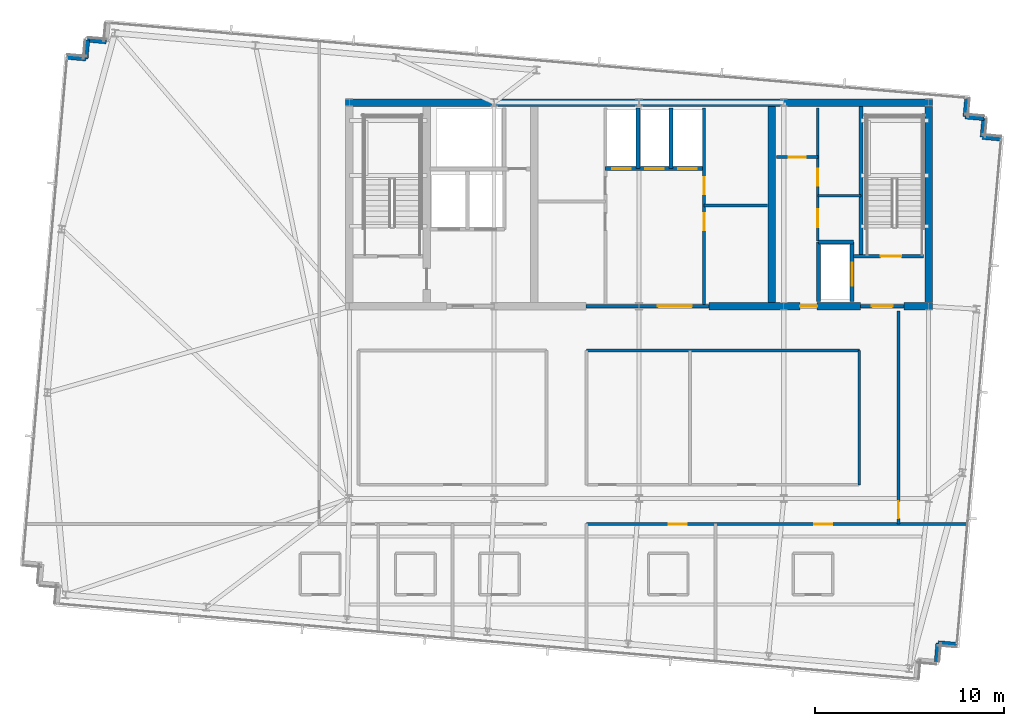
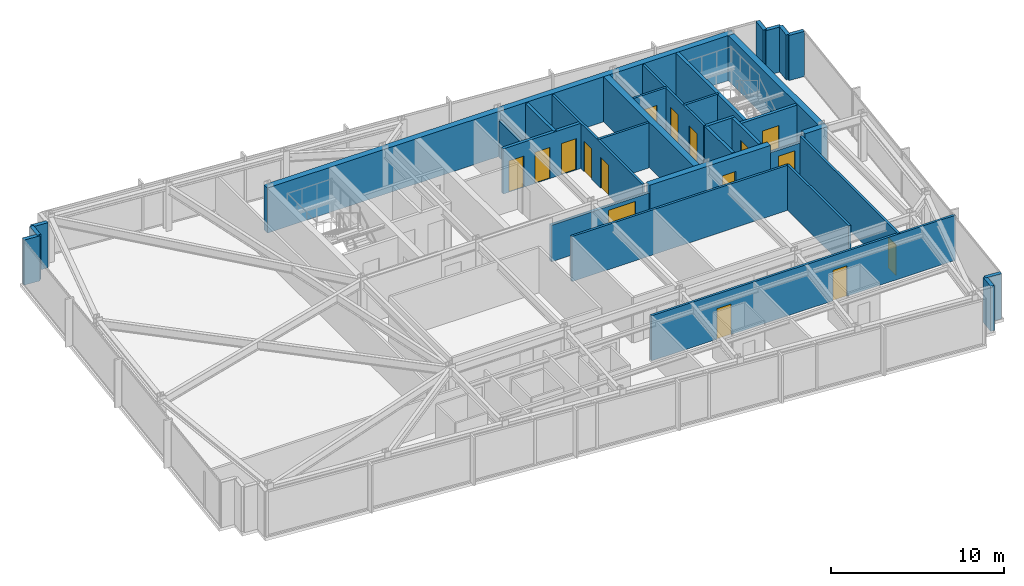
# One storey, part 28 of 33: 33 walls, 16 doors, 16 openings.
"""IFC4 building model written with IfcOpenShell, lengths in metres."""

import ifcopenshell
import ifcopenshell.guid

model = None  # the IFC model being written
_history = None  # IfcOwnerHistory: only IFC2X3 demands one
_inside = {}  # id of a spatial element -> (the spatial element, [elements in it])
_under = {}  # id of a project, library or spatial element -> (it, [spatial elements below it])
_declared = {}  # id of a project -> (the project, [libraries it declares])
_typed = {}  # id of a type object -> (the type object, [elements of that type])
_made_of = {}  # id of a material, layer set ... -> (it, [elements and type objects made of it])


def new_model(schema):
    """Start an empty IFC model of exactly this schema.

    Asked for "IFC4X3", IfcOpenShell would pick the latest addendum, in which some entities
    have other attributes; the version numbers below select the first issue.
    IFC2X3 requires an IfcOwnerHistory on every rooted entity: one is made here for all.
    """
    global model, _history
    if schema == "IFC4X3":
        model = ifcopenshell.file(schema_version=(4, 3, 0, 0))
    else:
        model = ifcopenshell.file(schema=schema)
    _inside.clear()
    _under.clear()
    _declared.clear()
    _typed.clear()
    _made_of.clear()
    _history = None
    if model.schema == "IFC2X3":
        org = make("IfcOrganization", Name="unknown")
        user = make(
            "IfcPersonAndOrganization",
            ThePerson=make("IfcPerson", FamilyName="unknown"),
            TheOrganization=org,
        )
        app = make(
            "IfcApplication",
            ApplicationDeveloper=org,
            Version="unknown",
            ApplicationFullName="unknown",
            ApplicationIdentifier="unknown",
        )
        _history = make(
            "IfcOwnerHistory",
            OwningUser=user,
            OwningApplication=app,
            ChangeAction="ADDED",
            CreationDate=0,
        )
    return model


def make(cls, **values):
    """One entity of the class cls with the attributes given. An attribute that is None is left unset."""
    return model.create_entity(
        cls, **{name: value for name, value in values.items() if value is not None}
    )


def rooted(cls, **values):
    """An entity with a GlobalId (a new one), such as an element, a storey or a relation."""
    return make(cls, GlobalId=ifcopenshell.guid.new(), OwnerHistory=_history, **values)


def si_unit(unit_type, name, prefix=None):
    """IfcSIUnit, for example si_unit("LENGTHUNIT", "METRE", prefix="MILLI")."""
    return make("IfcSIUnit", UnitType=unit_type, Prefix=prefix, Name=name)


def assignment(units):
    """IfcUnitAssignment: the units of a project."""
    return None if units is None else make("IfcUnitAssignment", Units=units)


def point(xyz):
    """IfcCartesianPoint."""
    return None if xyz is None else make("IfcCartesianPoint", Coordinates=xyz)


def direction(xyz):
    """IfcDirection."""
    return None if xyz is None else make("IfcDirection", DirectionRatios=xyz)


def frame(location, z_axis=None, x_axis=None):
    """IfcAxis2Placement3D, a coordinate frame: its origin and axes. An axis left out is left unset."""
    return make(
        "IfcAxis2Placement3D",
        Location=point(location),
        Axis=direction(z_axis),
        RefDirection=direction(x_axis),
    )


def frame_2d(location, x_axis=None):
    """IfcAxis2Placement2D, a coordinate frame in the plane: its origin and x axis."""
    return make(
        "IfcAxis2Placement2D", Location=point(location), RefDirection=direction(x_axis)
    )


def origin():
    """The frame at (0, 0, 0) with its axes left unset."""
    return frame((0.0, 0.0, 0.0))


def place(relative_to, where):
    """IfcLocalPlacement: puts the frame where relative to a parent placement (None: the world)."""
    return make(
        "IfcLocalPlacement", PlacementRelTo=relative_to, RelativePlacement=where
    )


def context(
    kind, dimensions, precision=None, world=None, true_north=None, identifier=None
):
    """IfcGeometricRepresentationContext, for example the 3D "Model" context."""
    return make(
        "IfcGeometricRepresentationContext",
        ContextIdentifier=identifier,
        ContextType=kind,
        CoordinateSpaceDimension=dimensions,
        Precision=precision,
        WorldCoordinateSystem=world,
        TrueNorth=true_north,
    )


def subcontext(parent, identifier, kind, view, scale=None):
    """IfcGeometricRepresentationSubContext, for example "Body" below "Model"."""
    return make(
        "IfcGeometricRepresentationSubContext",
        ContextIdentifier=identifier,
        ContextType=kind,
        ParentContext=parent,
        TargetScale=scale,
        TargetView=view,
    )


def project(units=None, contexts=None):
    """IfcProject with its units and contexts."""
    return rooted(
        "IfcProject",
        Name="project",
        RepresentationContexts=contexts,
        UnitsInContext=assignment(units),
    )


def spatial(cls, under=None, at=None, **own):
    """A site, building, storey or space (cls), placed at a placement, below another one or the project."""
    s = rooted(cls, ObjectPlacement=at, **own)
    if under is not None:
        _under.setdefault(under.id(), (under, []))[1].append(s)
    return s


def profile(cls, at=None, kind="AREA", **sizes):
    """A parametric profile (cls). Its sizes go by their IFC names, for example OverallWidth=200.0."""
    return make(cls, ProfileType=kind, Position=at, **sizes)


def rectangle(**sizes):
    """IfcRectangleProfileDef."""
    return profile("IfcRectangleProfileDef", **sizes)


def extrude(swept, where, along, depth):
    """IfcExtrudedAreaSolid: the profile swept, set in the frame where, extruded along a direction by depth."""
    return make(
        "IfcExtrudedAreaSolid",
        SweptArea=swept,
        Position=where,
        ExtrudedDirection=direction(along),
        Depth=depth,
    )


def shape(context_of_items, identifier, shape_type, items):
    """IfcShapeRepresentation: the items that make up one representation, for example the "Body"."""
    return make(
        "IfcShapeRepresentation",
        ContextOfItems=context_of_items,
        RepresentationIdentifier=identifier,
        RepresentationType=shape_type,
        Items=items,
    )


def material(Name=None, Category=None):
    """IfcMaterial."""
    return make("IfcMaterial", Name=Name, Category=Category)


def layer(
    of_material, thickness, ventilated=None, Name=None, Category=None, Priority=None
):
    """IfcMaterialLayer: one layer of a wall or slab, of a material (None: an air gap)."""
    return make(
        "IfcMaterialLayer",
        Material=of_material,
        LayerThickness=thickness,
        IsVentilated=ventilated,
        Name=Name,
        Category=Category,
        Priority=Priority,
    )


def layer_set(layers, Name=None):
    """IfcMaterialLayerSet."""
    return make("IfcMaterialLayerSet", MaterialLayers=layers, LayerSetName=Name)


def made_of(thing, what):
    """Note that an element or type object is made of a material, layer set ...; save() writes the relation."""
    if what is not None:
        _made_of.setdefault(what.id(), (what, []))[1].append(thing)
    return thing


def type_object(cls, material=None, **own):
    """A type object (cls), such as IfcWallType, which elements share."""
    return made_of(rooted(cls, **own), material)


def element(
    cls,
    number,
    at=None,
    inside=None,
    cuts=None,
    type_object=None,
    material=None,
    context=None,
    identifier="Body",
    shape_type=None,
    held_by="IfcProductDefinitionShape",
    body=None,
    shapes=None,
    **own,
):
    """One element of the class cls, such as IfcWall. Its Tag is "e" and its number.

    at: its placement. inside: the storey or other place that contains it. cuts: it is an
    opening in that element (IfcRelVoidsElement). A single representation is given by context,
    identifier, shape_type and body (its items); several are given by shapes. held_by: the class
    of the entity that holds the representations. save() writes the other relations.
    """
    e = rooted(cls, Tag="e%d" % number, ObjectPlacement=at, **own)
    if body is not None:
        shapes = [shape(context, identifier, shape_type, body)]
    if shapes is not None:
        e.Representation = make(held_by, Representations=shapes)
    if inside is not None:
        _inside.setdefault(inside.id(), (inside, []))[1].append(e)
    if cuts is not None:
        rooted(
            "IfcRelVoidsElement", RelatingBuildingElement=cuts, RelatedOpeningElement=e
        )
    if type_object is not None:
        _typed.setdefault(type_object.id(), (type_object, []))[1].append(e)
    return made_of(e, material)


def fill(opening, filler):
    """IfcRelFillsElement: the door or window that sits in an opening."""
    return rooted(
        "IfcRelFillsElement",
        RelatingOpeningElement=opening,
        RelatedBuildingElement=filler,
    )


def aggregate(whole, parts):
    """IfcRelAggregates: a whole, such as a stair, and the parts it consists of."""
    return rooted("IfcRelAggregates", RelatingObject=whole, RelatedObjects=parts)


def save(model, path):
    """Write the relations noted so far, then the file.

    IfcRelAggregates (storeys below a building ...), IfcRelContainedInSpatialStructure (elements
    in a storey), IfcRelDefinesByType, IfcRelAssociatesMaterial and IfcRelDeclares: one each for
    every whole, place, type object, material and project.
    """
    for whole, parts in _under.values():
        aggregate(whole, parts)
    for where, things in _inside.values():
        rooted(
            "IfcRelContainedInSpatialStructure",
            RelatedElements=things,
            RelatingStructure=where,
        )
    for kind, things in _typed.values():
        rooted("IfcRelDefinesByType", RelatedObjects=things, RelatingType=kind)
    for what, things in _made_of.values():
        rooted("IfcRelAssociatesMaterial", RelatedObjects=things, RelatingMaterial=what)
    for by, libraries in _declared.values():
        rooted("IfcRelDeclares", RelatingContext=by, RelatedDefinitions=libraries)
    model.write(path)


model = new_model("IFC4")

# Units and contexts
model_context = context("Model", 3, precision=1e-05, world=origin(), true_north=direction((0.0, 1.0)))
body_context = subcontext(model_context, "Body", "Model", "MODEL_VIEW")
ifc_project = project(units=[si_unit("LENGTHUNIT", "METRE"), si_unit("AREAUNIT", "SQUARE_METRE"), si_unit("VOLUMEUNIT", "CUBIC_METRE"), si_unit("PLANEANGLEUNIT", "RADIAN"), si_unit("MASSUNIT", "GRAM", prefix="KILO")], contexts=[model_context])

# Site, building, storey
site_placement = place(None, origin())
site = spatial("IfcSite", under=ifc_project, at=site_placement, CompositionType="ELEMENT")
building_placement = place(site_placement, origin())
building = spatial("IfcBuilding", under=site, at=building_placement, Name="Yelkora Congress Tower", CompositionType="ELEMENT")
storey_placement = place(building_placement, frame((0.0, 0.0, 289.699951171875)))
storey = spatial("IfcBuildingStorey", under=building, at=storey_placement, Name="L81", CompositionType="ELEMENT", Elevation=289.699951171875)

# Walls
ifc_material_1 = material(Name="Concrete C50/60", Category="concrete")
ifc_layer_1 = layer(ifc_material_1, 0.219970703125)
ifc_layer_set_1 = layer_set([ifc_layer_1], Name="Concrete C50/60")
wall_type_1 = type_object("IfcWallType", Name="WALL-CORE-INT-220", PredefinedType="SHEAR", material=ifc_layer_set_1)
wall_1_placement = place(storey_placement, frame((50.179931640625, 38.050048828125, 0.0), z_axis=(0.0, 0.0, 1.0), x_axis=(0.0, 1.0, 0.0)))
element("IfcWall", 1, at=wall_1_placement, inside=storey, type_object=wall_type_1, Name="L81 ST02 West Stair Shear Wall", PredefinedType="SHEAR", context=body_context, shape_type="SweptSolid", body=[
    extrude(rectangle(XDim=7.949951171875, YDim=0.219970703125, at=frame_2d((3.97509765625, 0.0))), origin(), (0.0, 0.0, 1.0), 3.179931640625),
])
ifc_layer_2 = layer(ifc_material_1, 0.39990234375)
ifc_layer_set_2 = layer_set([ifc_layer_2], Name="Concrete C50/60")
wall_type_2 = type_object("IfcWallType", Name="WALL-CORE-INT-400", PredefinedType="SHEAR", material=ifc_layer_set_2)
wall_2_placement = place(storey_placement, frame((22.840087890625, 46.199951171875, 0.0), z_axis=(0.0, 0.0, 1.0), x_axis=(1.0, 0.0, 0.0)))
element("IfcWall", 2, at=wall_2_placement, inside=storey, type_object=wall_type_2, Name="L81 Rear Core North Shear Wall", PredefinedType="SHEAR", context=body_context, shape_type="SweptSolid", body=[
    extrude(rectangle(XDim=31.119873046875, YDim=0.39990234375, at=frame_2d((15.56005859375, 0.0))), origin(), (0.0, 0.0, 1.0), 3.179931640625),
])

# Wall, opening, door
wall_3_placement = place(storey_placement, frame((42.10009765625, 35.39990234375, 0.0), z_axis=(0.0, 0.0, 1.0), x_axis=(1.0, 0.0, 0.0)))
wall_3 = element("IfcWall", 3, at=wall_3_placement, inside=storey, type_object=wall_type_2, Name="L81 Rear Core South-East Shear Wall A", PredefinedType="SHEAR", context=body_context, shape_type="SweptSolid", body=[
    extrude(rectangle(XDim=8.0498046875, YDim=0.39990234375, at=frame_2d((4.02490234375, 0.0))), origin(), (0.0, 0.0, 1.0), 3.179931640625),
])
opening_1_placement = place(wall_3_placement, frame((4.85009765625, 0.0, 0.0)))
opening_1 = element("IfcOpeningElement", 4, at=opening_1_placement, cuts=wall_3, Name="Opening DR-090F6", PredefinedType="OPENING", context=body_context, shape_type="SweptSolid", body=[
    extrude(rectangle(XDim=0.89990234375, YDim=2.14990234375, at=frame_2d((0.449951171875, 1.074951171875))), frame((0.0, 0.2099609375, 0.0), z_axis=(0.0, -1.0, 0.0), x_axis=(1.0, 0.0, 0.0)), (0.0, 0.0, 1.0), 0.419921875),
])
ifc_material_2 = material(Name="Painted steel riser fire door leaf", Category="steel")
door_type_1 = type_object("IfcDoorType", Name="DOOR-FD60-900", OperationType="NOTDEFINED", PredefinedType="DOOR", material=ifc_material_2)
door_1_placement = place(opening_1_placement, origin())
door_1 = element("IfcDoor", 5, at=door_1_placement, inside=storey, type_object=door_type_1, Name="L81 Core Washroom Lobby Door", OperationType="SINGLE_SWING_RIGHT", OverallHeight=2.14990234375, OverallWidth=0.89990234375, PredefinedType="DOOR", context=body_context, shape_type="SweptSolid", body=[
    extrude(rectangle(XDim=0.89990234375, YDim=2.14990234375, at=frame_2d((0.449951171875, 1.074951171875))), frame((0.0, 0.02490234375, 0.0), z_axis=(0.0, -1.0, 0.0), x_axis=(1.0, 0.0, 0.0)), (0.0, 0.0, 1.0), 0.050048828125),
])
fill(opening_1, door_1)

# Walls
wall_4_placement = place(storey_placement, frame((52.449951171875, 35.39990234375, 0.0), z_axis=(0.0, 0.0, 1.0), x_axis=(1.0, 0.0, 0.0)))
element("IfcWall", 6, at=wall_4_placement, inside=storey, type_object=wall_type_2, Name="L81 Rear Core South-East Shear Wall B", PredefinedType="SHEAR", context=body_context, shape_type="SweptSolid", body=[
    extrude(rectangle(XDim=1.510009765625, YDim=0.39990234375, at=frame_2d((0.7548828125, 0.0))), origin(), (0.0, 0.0, 1.0), 3.179931640625),
])
for number, where, z_axis, x_axis, name in (
    (7, (45.449951171875, 35.60009765625, 0.0), (0.0, 0.0, 1.0), (0.0, 1.0, 0.0), "L81 Rear Core Cross Shear Wall C3"),
    (8, (53.760009765625, 35.60009765625, 0.0), (0.0, 0.0, 1.0), (0.0, 1.0, 0.0), "L81 Rear Core Cross Shear Wall E"),
):
    element("IfcWall", number, at=place(storey_placement, frame(where, z_axis=z_axis, x_axis=x_axis)), inside=storey, type_object=wall_type_2, Name=name, PredefinedType="SHEAR", context=body_context, shape_type="SweptSolid", body=[
        extrude(rectangle(XDim=10.39990234375, YDim=0.39990234375, at=frame_2d((5.199951171875, 0.0))), origin(), (0.0, 0.0, 1.0), 3.179931640625),
    ])
ifc_material_3 = material(Name="Concrete C40/50", Category="concrete")
ifc_layer_3 = layer(ifc_material_3, 0.239990234375)
ifc_layer_set_3 = layer_set([ifc_layer_3], Name="Concrete C40/50")
wall_type_3 = type_object("IfcWallType", Name="WALL-EXT-LIMESTONE-240", PredefinedType="SOLIDWALL", material=ifc_layer_set_3)
for number, where, z_axis, x_axis, name in (
    (9, (8.0732421875, 48.609619140625, 0.0), (0.0, 0.0, 1.0), (0.996195572005, -0.087145753297, 0.0), "L81 Serrated Corner Limestone Pier 6"),
    (10, (9.069580078125, 48.5224609375, 0.0), (0.0, 0.0, 1.0), (0.087145753297, 0.996195572005, 0.0), "L81 Serrated Corner Limestone Pier 7"),
):
    element("IfcWall", number, at=place(storey_placement, frame(where, z_axis=z_axis, x_axis=x_axis)), inside=storey, type_object=wall_type_3, Name=name, PredefinedType="SOLIDWALL", context=body_context, shape_type="SweptSolid", body=[
        extrude(rectangle(XDim=1.000244140625, YDim=0.239990234375, at=frame_2d((0.5, 0.0))), origin(), (0.0, 0.0, 1.0), 3.179931640625),
    ])
for number, where, z_axis, x_axis, name in (
    (11, (9.15673828125, 49.518798828125, 0.0), (0.0, 0.0, 1.0), (0.996193717496, -0.087166950281, 0.0), "L81 Serrated Corner Limestone Pier 8"),
    (12, (55.785888671875, 46.443115234375, 0.0), (0.0, 0.0, 1.0), (-0.086903493655, -0.996216734848, 0.0), "L81 Serrated Corner Limestone Pier 11"),
    (13, (55.698974609375, 45.44677734375, 0.0), (0.0, 0.0, 1.0), (0.996193717496, -0.087166950281, 0.0), "L81 Serrated Corner Limestone Pier 12"),
    (14, (56.695068359375, 45.359619140625, 0.0), (0.0, 0.0, 1.0), (-0.087166950281, -0.996193717496, 0.0), "L81 Serrated Corner Limestone Pier 13"),
    (15, (56.60791015625, 44.363525390625, 0.0), (0.0, 0.0, 1.0), (0.996193717496, -0.087166950281, 0.0), "L81 Serrated Corner Limestone Pier 14"),
    (16, (55.2578125, 17.458740234375, 0.0), (0.0, 0.0, 1.0), (-0.996193717496, 0.087166950281, 0.0), "L81 Serrated Corner Limestone Pier 16"),
    (17, (54.26171875, 17.5458984375, 0.0), (0.0, 0.0, 1.0), (-0.087166950281, -0.996193717496, 0.0), "L81 Serrated Corner Limestone Pier 17"),
):
    element("IfcWall", number, at=place(storey_placement, frame(where, z_axis=z_axis, x_axis=x_axis)), inside=storey, type_object=wall_type_3, Name=name, PredefinedType="SOLIDWALL", context=body_context, shape_type="SweptSolid", body=[
        extrude(rectangle(XDim=1.0, YDim=0.239990234375, at=frame_2d((0.5, 0.0))), origin(), (0.0, 0.0, 1.0), 3.179931640625),
    ])

# Wall, opening, door
ifc_material_4 = material(Name="Acoustic metal-stud gypsum partition", Category="gypsum")
ifc_layer_4 = layer(ifc_material_4, 0.14990234375)
ifc_layer_set_4 = layer_set([ifc_layer_4], Name="Acoustic metal-stud gypsum partition")
wall_type_4 = type_object("IfcWallType", Name="WALL-INT-150-NR", PredefinedType="PARTITIONING", material=ifc_layer_set_4)
wall_5_placement = place(storey_placement, frame((45.679931640625, 43.31005859375, 0.0), z_axis=(0.0, 0.0, 1.0), x_axis=(1.0, 0.0, 0.0)))
wall_5 = element("IfcWall", 18, at=wall_5_placement, inside=storey, type_object=wall_type_4, Name="L81 Partition Wall 20", PredefinedType="PARTITIONING", context=body_context, shape_type="SweptSolid", body=[
    extrude(rectangle(XDim=2.199951171875, YDim=0.14990234375, at=frame_2d((1.10009765625, 0.0))), origin(), (0.0, 0.0, 1.0), 3.179931640625),
])
opening_2_placement = place(wall_5_placement, frame((0.64990234375, 0.0, 0.0)))
opening_2 = element("IfcOpeningElement", 19, at=opening_2_placement, cuts=wall_5, Name="Opening DR-090N", PredefinedType="OPENING", context=body_context, shape_type="SweptSolid", body=[
    extrude(rectangle(XDim=0.89990234375, YDim=2.14990234375, at=frame_2d((0.449951171875, 1.074951171875))), frame((0.0, 0.0849609375, 0.0), z_axis=(0.0, -1.0, 0.0), x_axis=(1.0, 0.0, 0.0)), (0.0, 0.0, 1.0), 0.169921875),
])
ifc_material_5 = material(Name="Moisture-resistant laminate door leaf", Category="wood")
door_type_2 = type_object("IfcDoorType", Name="DOOR-INT-900", OperationType="NOTDEFINED", PredefinedType="DOOR", material=ifc_material_5)
door_2_placement = place(opening_2_placement, origin())
door_2 = element("IfcDoor", 20, at=door_2_placement, inside=storey, type_object=door_type_2, Name="L81 Male WC Door", OperationType="SINGLE_SWING_LEFT", OverallHeight=2.14990234375, OverallWidth=0.89990234375, PredefinedType="DOOR", context=body_context, shape_type="SweptSolid", body=[
    extrude(rectangle(XDim=0.89990234375, YDim=2.14990234375, at=frame_2d((0.449951171875, 1.074951171875))), frame((0.0, 0.02490234375, 0.0), z_axis=(0.0, -1.0, 0.0), x_axis=(1.0, 0.0, 0.0)), (0.0, 0.0, 1.0), 0.050048828125),
])
fill(opening_2, door_2)

# Wall
wall_6_placement = place(storey_placement, frame((47.8798828125, 41.260009765625, 0.0), z_axis=(0.0, 0.0, 1.0), x_axis=(1.0, 0.0, 0.0)))
element("IfcWall", 21, at=wall_6_placement, inside=storey, type_object=wall_type_4, Name="L81 Partition Wall 21", PredefinedType="PARTITIONING", context=body_context, shape_type="SweptSolid", body=[
    extrude(rectangle(XDim=2.300048828125, YDim=0.14990234375, at=frame_2d((1.14990234375, 0.0))), origin(), (0.0, 0.0, 1.0), 3.179931640625),
])

# Wall, openings, doors
wall_7_placement = place(storey_placement, frame((47.8798828125, 38.85009765625, 0.0), z_axis=(0.0, 0.0, 1.0), x_axis=(0.0, 1.0, 0.0)))
wall_7 = element("IfcWall", 22, at=wall_7_placement, inside=storey, type_object=wall_type_4, Name="L81 Partition Wall 22", PredefinedType="PARTITIONING", context=body_context, shape_type="SweptSolid", body=[
    extrude(rectangle(XDim=7.06982421875, YDim=0.14990234375, at=frame_2d((3.534912109375, 0.0))), origin(), (0.0, 0.0, 1.0), 3.179931640625),
])
opening_3_placement = place(wall_7_placement, frame((0.75, 0.0, 0.0)))
opening_3 = element("IfcOpeningElement", 23, at=opening_3_placement, cuts=wall_7, Name="Opening DR-095N", PredefinedType="OPENING", context=body_context, shape_type="SweptSolid", body=[
    extrude(rectangle(XDim=0.949951171875, YDim=2.14990234375, at=frame_2d((0.47509765625, 1.074951171875))), frame((0.0, 0.0849609375, 0.0), z_axis=(0.0, -1.0, 0.0), x_axis=(1.0, 0.0, 0.0)), (0.0, 0.0, 1.0), 0.169921875),
])
opening_4_placement = place(wall_7_placement, frame((2.949951171875, 0.0, 0.0)))
opening_4 = element("IfcOpeningElement", 24, at=opening_4_placement, cuts=wall_7, Name="Opening DR-090N", PredefinedType="OPENING", context=body_context, shape_type="SweptSolid", body=[
    extrude(rectangle(XDim=0.89990234375, YDim=2.14990234375, at=frame_2d((0.449951171875, 1.074951171875))), frame((0.0, 0.0849609375, 0.0), z_axis=(0.0, -1.0, 0.0), x_axis=(1.0, 0.0, 0.0)), (0.0, 0.0, 1.0), 0.169921875),
])
door_3_placement = place(opening_4_placement, origin())
door_3 = element("IfcDoor", 25, at=door_3_placement, inside=storey, type_object=door_type_2, Name="L81 Female WC Door", OperationType="SINGLE_SWING_LEFT", OverallHeight=2.14990234375, OverallWidth=0.89990234375, PredefinedType="DOOR", context=body_context, shape_type="SweptSolid", body=[
    extrude(rectangle(XDim=0.89990234375, YDim=2.14990234375, at=frame_2d((0.449951171875, 1.074951171875))), frame((0.0, 0.02490234375, 0.0), z_axis=(0.0, -1.0, 0.0), x_axis=(1.0, 0.0, 0.0)), (0.0, 0.0, 1.0), 0.050048828125),
])
fill(opening_4, door_3)
ifc_material_6 = material(Name="Acoustic laminated timber office door", Category="wood")
door_type_3 = type_object("IfcDoorType", Name="DOOR-INT-950", OperationType="NOTDEFINED", PredefinedType="DOOR", material=ifc_material_6)
door_4_placement = place(opening_3_placement, origin())
door_4 = element("IfcDoor", 26, at=door_4_placement, inside=storey, type_object=door_type_3, Name="L81 Accessible WC Door", OperationType="SINGLE_SWING_RIGHT", OverallHeight=2.14990234375, OverallWidth=0.949951171875, PredefinedType="DOOR", context=body_context, shape_type="SweptSolid", body=[
    extrude(rectangle(XDim=0.949951171875, YDim=2.14990234375, at=frame_2d((0.47509765625, 1.074951171875))), frame((0.0, 0.02490234375, 0.0), z_axis=(0.0, -1.0, 0.0), x_axis=(1.0, 0.0, 0.0)), (0.0, 0.0, 1.0), 0.050048828125),
])
fill(opening_3, door_4)

# Wall, opening, door
wall_8_placement = place(storey_placement, frame((52.159912109375, 23.85009765625, 0.0), z_axis=(0.0, 0.0, 1.0), x_axis=(0.0, 1.0, 0.0)))
wall_8 = element("IfcWall", 27, at=wall_8_placement, inside=storey, type_object=wall_type_4, Name="L81 Partition Wall 50", PredefinedType="PARTITIONING", context=body_context, shape_type="SweptSolid", body=[
    extrude(rectangle(XDim=11.289794921875, YDim=0.14990234375, at=frame_2d((5.64501953125, 0.0))), origin(), (0.0, 0.0, 1.0), 3.179931640625),
])
opening_5_placement = place(wall_8_placement, frame((0.300048828125, 0.0, 0.0)))
opening_5 = element("IfcOpeningElement", 28, at=opening_5_placement, cuts=wall_8, Name="Opening DR-090N", PredefinedType="OPENING", context=body_context, shape_type="SweptSolid", body=[
    extrude(rectangle(XDim=0.89990234375, YDim=2.14990234375, at=frame_2d((0.449951171875, 1.074951171875))), frame((0.0, 0.0849609375, 0.0), z_axis=(0.0, -1.0, 0.0), x_axis=(1.0, 0.0, 0.0)), (0.0, 0.0, 1.0), 0.169921875),
])
door_5_placement = place(opening_5_placement, origin())
door_5 = element("IfcDoor", 29, at=door_5_placement, inside=storey, type_object=door_type_2, Name="L81 E Wing Door", OperationType="SINGLE_SWING_LEFT", OverallHeight=2.14990234375, OverallWidth=0.89990234375, PredefinedType="DOOR", context=body_context, shape_type="SweptSolid", body=[
    extrude(rectangle(XDim=0.89990234375, YDim=2.14990234375, at=frame_2d((0.449951171875, 1.074951171875))), frame((0.0, 0.02490234375, 0.0), z_axis=(0.0, -1.0, 0.0), x_axis=(1.0, 0.0, 0.0)), (0.0, 0.0, 1.0), 0.050048828125),
])
fill(opening_5, door_5)

# Walls
wall_9_placement = place(storey_placement, frame((50.080078125, 25.929931640625, 0.0), z_axis=(0.0, 0.0, 1.0), x_axis=(0.0, 1.0, 0.0)))
element("IfcWall", 30, at=wall_9_placement, inside=storey, type_object=wall_type_4, Name="L81 Partition Wall 52", PredefinedType="PARTITIONING", context=body_context, shape_type="SweptSolid", body=[
    extrude(rectangle(XDim=7.1201171875, YDim=0.14990234375, at=frame_2d((3.56005859375, 0.0))), origin(), (0.0, 0.0, 1.0), 3.179931640625),
])
wall_10_placement = place(storey_placement, frame((35.6201171875, 33.050048828125, 0.0), z_axis=(0.0, 0.0, 1.0), x_axis=(1.0, 0.0, 0.0)))
element("IfcWall", 31, at=wall_10_placement, inside=storey, type_object=wall_type_4, Name="L81 Partition Wall 56", PredefinedType="PARTITIONING", context=body_context, shape_type="SweptSolid", body=[
    extrude(rectangle(XDim=14.4599609375, YDim=0.14990234375, at=frame_2d((7.22998046875, 0.0))), origin(), (0.0, 0.0, 1.0), 3.179931640625),
])
ifc_material_7 = material(Name="Twin-stud fire-rated gypsum partition", Category="gypsum")
ifc_layer_5 = layer(ifc_material_7, 0.14990234375)
ifc_layer_set_5 = layer_set([ifc_layer_5], Name="Twin-stud fire-rated gypsum partition")
wall_type_5 = type_object("IfcWallType", Name="WALL-INT-150-R60", PredefinedType="PARTITIONING", material=ifc_layer_set_5)
wall_11_placement = place(storey_placement, frame((41.85009765625, 40.75, 0.0), z_axis=(0.0, 0.0, 1.0), x_axis=(1.0, 0.0, 0.0)))
element("IfcWall", 32, at=wall_11_placement, inside=storey, type_object=wall_type_5, Name="L81 Partition Wall 13", PredefinedType="PARTITIONING", context=body_context, shape_type="SweptSolid", body=[
    extrude(rectangle(XDim=3.369873046875, YDim=0.14990234375, at=frame_2d((1.68505859375, 0.0))), origin(), (0.0, 0.0, 1.0), 3.179931640625),
])

# Wall, openings, doors
wall_12_placement = place(storey_placement, frame((41.85009765625, 35.5, 0.0), z_axis=(0.0, 0.0, 1.0), x_axis=(0.0, 1.0, 0.0)))
wall_12 = element("IfcWall", 33, at=wall_12_placement, inside=storey, type_object=wall_type_5, Name="L81 Partition Wall 14", PredefinedType="PARTITIONING", context=body_context, shape_type="SweptSolid", body=[
    extrude(rectangle(XDim=10.419921875, YDim=0.14990234375, at=frame_2d((5.2099609375, 0.0))), origin(), (0.0, 0.0, 1.0), 3.179931640625),
])
opening_6_placement = place(wall_12_placement, frame((3.919921875, 0.0, 0.0)))
opening_6 = element("IfcOpeningElement", 34, at=opening_6_placement, cuts=wall_12, Name="Opening DR-090F6", PredefinedType="OPENING", context=body_context, shape_type="SweptSolid", body=[
    extrude(rectangle(XDim=0.89990234375, YDim=2.14990234375, at=frame_2d((0.449951171875, 1.074951171875))), frame((0.0, 0.0849609375, 0.0), z_axis=(0.0, -1.0, 0.0), x_axis=(1.0, 0.0, 0.0)), (0.0, 0.0, 1.0), 0.169921875),
])
opening_7_placement = place(wall_12_placement, frame((5.85009765625, 0.0, 0.0)))
opening_7 = element("IfcOpeningElement", 35, at=opening_7_placement, cuts=wall_12, Name="Opening DR-090F6", PredefinedType="OPENING", context=body_context, shape_type="SweptSolid", body=[
    extrude(rectangle(XDim=0.89990234375, YDim=2.14990234375, at=frame_2d((0.449951171875, 1.074951171875))), frame((0.0, 0.0849609375, 0.0), z_axis=(0.0, -1.0, 0.0), x_axis=(1.0, 0.0, 0.0)), (0.0, 0.0, 1.0), 0.169921875),
])
door_6_placement = place(opening_6_placement, origin())
door_6 = element("IfcDoor", 36, at=door_6_placement, inside=storey, type_object=door_type_1, Name="L81 High-Zone BMS Door", OperationType="SINGLE_SWING_RIGHT", OverallHeight=2.14990234375, OverallWidth=0.89990234375, PredefinedType="DOOR", context=body_context, shape_type="SweptSolid", body=[
    extrude(rectangle(XDim=0.89990234375, YDim=2.14990234375, at=frame_2d((0.449951171875, 1.074951171875))), frame((0.0, 0.02490234375, 0.0), z_axis=(0.0, -1.0, 0.0), x_axis=(1.0, 0.0, 0.0)), (0.0, 0.0, 1.0), 0.050048828125),
])
fill(opening_6, door_6)
door_7_placement = place(opening_7_placement, origin())
door_7 = element("IfcDoor", 37, at=door_7_placement, inside=storey, type_object=door_type_1, Name="L81 Linen Store Door", OperationType="SINGLE_SWING_LEFT", OverallHeight=2.14990234375, OverallWidth=0.89990234375, PredefinedType="DOOR", context=body_context, shape_type="SweptSolid", body=[
    extrude(rectangle(XDim=0.89990234375, YDim=2.14990234375, at=frame_2d((0.449951171875, 1.074951171875))), frame((0.0, 0.02490234375, 0.0), z_axis=(0.0, -1.0, 0.0), x_axis=(1.0, 0.0, 0.0)), (0.0, 0.0, 1.0), 0.050048828125),
])
fill(opening_7, door_7)

wall_13_placement = place(storey_placement, frame((35.6201171875, 23.85009765625, 0.0), z_axis=(0.0, 0.0, 1.0), x_axis=(1.0, 0.0, 0.0)))
wall_13 = element("IfcWall", 38, at=wall_13_placement, inside=storey, type_object=wall_type_5, Name="L81 South Spine Wall East", PredefinedType="PARTITIONING", context=body_context, shape_type="SweptSolid", body=[
    extrude(rectangle(XDim=20.257080078125, YDim=0.14990234375, at=frame_2d((10.12841796875, 0.0))), origin(), (0.0, 0.0, 1.0), 3.179931640625),
])
opening_8_placement = place(wall_13_placement, frame((4.364501953125, 0.0, 0.0)))
opening_8 = element("IfcOpeningElement", 39, at=opening_8_placement, cuts=wall_13, Name="Opening DR-095F6", PredefinedType="OPENING", context=body_context, shape_type="SweptSolid", body=[
    extrude(rectangle(XDim=0.949951171875, YDim=2.14990234375, at=frame_2d((0.47509765625, 1.074951171875))), frame((0.0, 0.0849609375, 0.0), z_axis=(0.0, -1.0, 0.0), x_axis=(1.0, 0.0, 0.0)), (0.0, 0.0, 1.0), 0.169921875),
])
opening_9_placement = place(wall_13_placement, frame((12.0859375, 0.0, 0.0)))
opening_9 = element("IfcOpeningElement", 40, at=opening_9_placement, cuts=wall_13, Name="Opening DR-095F6", PredefinedType="OPENING", context=body_context, shape_type="SweptSolid", body=[
    extrude(rectangle(XDim=0.949951171875, YDim=2.14990234375, at=frame_2d((0.47509765625, 1.074951171875))), frame((0.0, 0.0849609375, 0.0), z_axis=(0.0, -1.0, 0.0), x_axis=(1.0, 0.0, 0.0)), (0.0, 0.0, 1.0), 0.169921875),
])
ifc_material_8 = material(Name="Acoustic oak-veneer fire door leaf", Category="wood")
door_type_4 = type_object("IfcDoorType", Name="DOOR-FD60-950", OperationType="NOTDEFINED", PredefinedType="DOOR", material=ifc_material_8)
door_8_placement = place(opening_8_placement, origin())
door_8 = element("IfcDoor", 41, at=door_8_placement, inside=storey, type_object=door_type_4, Name="L81 Hotel Guest Room 05 Entry Door", OperationType="SINGLE_SWING_RIGHT", OverallHeight=2.14990234375, OverallWidth=0.949951171875, PredefinedType="DOOR", context=body_context, shape_type="SweptSolid", body=[
    extrude(rectangle(XDim=0.949951171875, YDim=2.14990234375, at=frame_2d((0.47509765625, 1.074951171875))), frame((0.0, 0.02490234375, 0.0), z_axis=(0.0, -1.0, 0.0), x_axis=(1.0, 0.0, 0.0)), (0.0, 0.0, 1.0), 0.050048828125),
])
fill(opening_8, door_8)
door_9_placement = place(opening_9_placement, origin())
door_9 = element("IfcDoor", 42, at=door_9_placement, inside=storey, type_object=door_type_4, Name="L81 Diplomatic Suite 06 Entry Door", OperationType="SINGLE_SWING_LEFT", OverallHeight=2.14990234375, OverallWidth=0.949951171875, PredefinedType="DOOR", context=body_context, shape_type="SweptSolid", body=[
    extrude(rectangle(XDim=0.949951171875, YDim=2.14990234375, at=frame_2d((0.47509765625, 1.074951171875))), frame((0.0, 0.02490234375, 0.0), z_axis=(0.0, -1.0, 0.0), x_axis=(1.0, 0.0, 0.0)), (0.0, 0.0, 1.0), 0.050048828125),
])
fill(opening_9, door_9)

# Wall, opening, door
ifc_material_9 = material(Name="Autoclaved aerated concrete blockwork", Category="masonry")
ifc_layer_6 = layer(ifc_material_9, 0.199951171875)
ifc_layer_set_6 = layer_set([ifc_layer_6], Name="Autoclaved aerated concrete blockwork")
wall_type_6 = type_object("IfcWallType", Name="WALL-INT-200-R120", PredefinedType="PARTITIONING", material=ifc_layer_set_6)
wall_14_placement = place(storey_placement, frame((35.60009765625, 35.39990234375, 0.0), z_axis=(0.0, 0.0, 1.0), x_axis=(1.0, 0.0, 0.0)))
wall_14 = element("IfcWall", 43, at=wall_14_placement, inside=storey, type_object=wall_type_6, Name="L81 Main Lift Lobby South Portal Wall", PredefinedType="PARTITIONING", context=body_context, shape_type="SweptSolid", body=[
    extrude(rectangle(XDim=6.5, YDim=0.199951171875, at=frame_2d((3.25, 0.0))), origin(), (0.0, 0.0, 1.0), 2.574951171875),
])
opening_10_placement = place(wall_14_placement, frame((3.800048828125, 0.0, 0.0)))
opening_10 = element("IfcOpeningElement", 44, at=opening_10_placement, cuts=wall_14, Name="Opening DR-180D", PredefinedType="OPENING", context=body_context, shape_type="SweptSolid", body=[
    extrude(rectangle(XDim=1.800048828125, YDim=2.300048828125, at=frame_2d((0.89990234375, 1.14990234375))), frame((0.0, 0.10986328125, 0.0), z_axis=(0.0, -1.0, 0.0), x_axis=(1.0, 0.0, 0.0)), (0.0, 0.0, 1.0), 0.219970703125),
])
ifc_material_10 = material(Name="Acoustic double congress hall doors", Category="wood")
door_type_5 = type_object("IfcDoorType", Name="DOOR-DBL-1800", OperationType="DOUBLE_DOOR_SINGLE_SWING", PredefinedType="DOOR", material=ifc_material_10)
door_10_placement = place(opening_10_placement, origin())
door_10 = element("IfcDoor", 45, at=door_10_placement, inside=storey, type_object=door_type_5, Name="L81 Main Lift Lobby Portal Door", OperationType="DOUBLE_DOOR_SINGLE_SWING", OverallHeight=2.300048828125, OverallWidth=1.800048828125, PredefinedType="DOOR", context=body_context, shape_type="SweptSolid", body=[
    extrude(rectangle(XDim=1.800048828125, YDim=2.300048828125, at=frame_2d((0.89990234375, 1.14990234375))), frame((0.0, 0.02490234375, 0.0), z_axis=(0.0, -1.0, 0.0), x_axis=(1.0, 0.0, 0.0)), (0.0, 0.0, 1.0), 0.050048828125),
])
fill(opening_10, door_10)

# Wall, openings, doors
wall_15_placement = place(storey_placement, frame((36.60009765625, 42.699951171875, 0.0), z_axis=(0.0, 0.0, 1.0), x_axis=(1.0, 0.0, 0.0)))
wall_15 = element("IfcWall", 46, at=wall_15_placement, inside=storey, type_object=wall_type_6, Name="L81 Partition Wall 8", PredefinedType="PARTITIONING", context=body_context, shape_type="SweptSolid", body=[
    extrude(rectangle(XDim=5.25, YDim=0.199951171875, at=frame_2d((2.625, 0.0))), origin(), (0.0, 0.0, 1.0), 3.179931640625),
])
opening_11_placement = place(wall_15_placement, frame((0.375, 0.0, 0.0)))
opening_11 = element("IfcOpeningElement", 47, at=opening_11_placement, cuts=wall_15, Name="Opening LD-PS10", PredefinedType="OPENING", context=body_context, shape_type="SweptSolid", body=[
    extrude(rectangle(XDim=1.0, YDim=2.199951171875, at=frame_2d((0.5, 1.10009765625))), frame((0.0, 0.10986328125, 0.0), z_axis=(0.0, -1.0, 0.0), x_axis=(1.0, 0.0, 0.0)), (0.0, 0.0, 1.0), 0.219970703125),
])
opening_12_placement = place(wall_15_placement, frame((2.125, 0.0, 0.0)))
opening_12 = element("IfcOpeningElement", 48, at=opening_12_placement, cuts=wall_15, Name="Opening LD-PS10", PredefinedType="OPENING", context=body_context, shape_type="SweptSolid", body=[
    extrude(rectangle(XDim=1.0, YDim=2.199951171875, at=frame_2d((0.5, 1.10009765625))), frame((0.0, 0.10986328125, 0.0), z_axis=(0.0, -1.0, 0.0), x_axis=(1.0, 0.0, 0.0)), (0.0, 0.0, 1.0), 0.219970703125),
])
opening_13_placement = place(wall_15_placement, frame((3.875, 0.0, 0.0)))
opening_13 = element("IfcOpeningElement", 49, at=opening_13_placement, cuts=wall_15, Name="Opening LD-PS10", PredefinedType="OPENING", context=body_context, shape_type="SweptSolid", body=[
    extrude(rectangle(XDim=1.0, YDim=2.199951171875, at=frame_2d((0.5, 1.10009765625))), frame((0.0, 0.10986328125, 0.0), z_axis=(0.0, -1.0, 0.0), x_axis=(1.0, 0.0, 0.0)), (0.0, 0.0, 1.0), 0.219970703125),
])
ifc_material_11 = material(Name="Champagne stainless steel landing door", Category="steel")
door_type_6 = type_object("IfcDoorType", Name="DOOR-LIFT-PAS-1000", OperationType="DOUBLE_DOOR_SLIDING", PredefinedType="DOOR", material=ifc_material_11)
door_11_placement = place(opening_11_placement, origin())
door_11 = element("IfcDoor", 50, at=door_11_placement, inside=storey, type_object=door_type_6, Name="Lift Landing Door LF-P9 L81", OperationType="DOUBLE_DOOR_SLIDING", OverallHeight=2.199951171875, OverallWidth=1.0, PredefinedType="DOOR", context=body_context, shape_type="SweptSolid", body=[
    extrude(rectangle(XDim=1.0, YDim=2.199951171875, at=frame_2d((0.5, 1.10009765625))), frame((0.0, 0.02490234375, 0.0), z_axis=(0.0, -1.0, 0.0), x_axis=(1.0, 0.0, 0.0)), (0.0, 0.0, 1.0), 0.050048828125),
])
fill(opening_11, door_11)
door_12_placement = place(opening_12_placement, origin())
door_12 = element("IfcDoor", 51, at=door_12_placement, inside=storey, type_object=door_type_6, Name="Lift Landing Door LF-P10 L81", OperationType="DOUBLE_DOOR_SLIDING", OverallHeight=2.199951171875, OverallWidth=1.0, PredefinedType="DOOR", context=body_context, shape_type="SweptSolid", body=[
    extrude(rectangle(XDim=1.0, YDim=2.199951171875, at=frame_2d((0.5, 1.10009765625))), frame((0.0, 0.02490234375, 0.0), z_axis=(0.0, -1.0, 0.0), x_axis=(1.0, 0.0, 0.0)), (0.0, 0.0, 1.0), 0.050048828125),
])
fill(opening_12, door_12)
door_13_placement = place(opening_13_placement, origin())
door_13 = element("IfcDoor", 52, at=door_13_placement, inside=storey, type_object=door_type_6, Name="Lift Landing Door LF-P11 L81", OperationType="DOUBLE_DOOR_SLIDING", OverallHeight=2.199951171875, OverallWidth=1.0, PredefinedType="DOOR", context=body_context, shape_type="SweptSolid", body=[
    extrude(rectangle(XDim=1.0, YDim=2.199951171875, at=frame_2d((0.5, 1.10009765625))), frame((0.0, 0.02490234375, 0.0), z_axis=(0.0, -1.0, 0.0), x_axis=(1.0, 0.0, 0.0)), (0.0, 0.0, 1.0), 0.050048828125),
])
fill(opening_13, door_13)

# Walls
wall_16_placement = place(storey_placement, frame((38.35009765625, 42.699951171875, 0.0), z_axis=(0.0, 0.0, 1.0), x_axis=(0.0, 1.0, 0.0)))
element("IfcWall", 53, at=wall_16_placement, inside=storey, type_object=wall_type_6, Name="L81 Partition Wall 9", PredefinedType="PARTITIONING", context=body_context, shape_type="SweptSolid", body=[
    extrude(rectangle(XDim=3.219970703125, YDim=0.199951171875, at=frame_2d((1.60986328125, 0.0))), origin(), (0.0, 0.0, 1.0), 2.574951171875),
])
wall_17_placement = place(storey_placement, frame((40.10009765625, 42.699951171875, 0.0), z_axis=(0.0, 0.0, 1.0), x_axis=(0.0, 1.0, 0.0)))
element("IfcWall", 54, at=wall_17_placement, inside=storey, type_object=wall_type_6, Name="L81 Partition Wall 10", PredefinedType="PARTITIONING", context=body_context, shape_type="SweptSolid", body=[
    extrude(rectangle(XDim=3.219970703125, YDim=0.199951171875, at=frame_2d((1.60986328125, 0.0))), origin(), (0.0, 0.0, 1.0), 3.179931640625),
])

# Wall, opening, door
wall_18_placement = place(storey_placement, frame((49.780029296875, 38.050048828125, 0.0), z_axis=(0.0, 0.0, 1.0), x_axis=(1.0, 0.0, 0.0)))
wall_18 = element("IfcWall", 55, at=wall_18_placement, inside=storey, type_object=wall_type_6, Name="L81 Stair ST-02 Enclosure Wall", PredefinedType="PARTITIONING", context=body_context, shape_type="SweptSolid", body=[
    extrude(rectangle(XDim=3.719970703125, YDim=0.199951171875, at=frame_2d((1.85986328125, 0.0))), origin(), (0.0, 0.0, 1.0), 3.179931640625),
])
opening_14_placement = place(wall_18_placement, frame((1.436279296875, 0.0, 0.0)))
opening_14 = element("IfcOpeningElement", 56, at=opening_14_placement, cuts=wall_18, Name="Opening DR-110F9", PredefinedType="OPENING", context=body_context, shape_type="SweptSolid", body=[
    extrude(rectangle(XDim=1.10009765625, YDim=2.14990234375, at=frame_2d((0.550048828125, 1.074951171875))), frame((0.0, 0.10986328125, 0.0), z_axis=(0.0, -1.0, 0.0), x_axis=(1.0, 0.0, 0.0)), (0.0, 0.0, 1.0), 0.219970703125),
])
ifc_material_12 = material(Name="Galvanised steel fire door leaf", Category="steel")
door_type_7 = type_object("IfcDoorType", Name="DOOR-FD90-1100", OperationType="NOTDEFINED", PredefinedType="DOOR", material=ifc_material_12)
door_14_placement = place(opening_14_placement, origin())
door_14 = element("IfcDoor", 57, at=door_14_placement, inside=storey, type_object=door_type_7, Name="L81 Stair ST-02 Entry Door", OperationType="SINGLE_SWING_RIGHT", OverallHeight=2.14990234375, OverallWidth=1.10009765625, PredefinedType="DOOR", context=body_context, shape_type="SweptSolid", body=[
    extrude(rectangle(XDim=1.10009765625, YDim=2.14990234375, at=frame_2d((0.550048828125, 1.074951171875))), frame((0.0, 0.02490234375, 0.0), z_axis=(0.0, -1.0, 0.0), x_axis=(1.0, 0.0, 0.0)), (0.0, 0.0, 1.0), 0.050048828125),
])
fill(opening_14, door_14)

wall_19_placement = place(storey_placement, frame((50.14990234375, 35.39990234375, 0.0), z_axis=(0.0, 0.0, 1.0), x_axis=(1.0, 0.0, 0.0)))
wall_19 = element("IfcWall", 58, at=wall_19_placement, inside=storey, type_object=wall_type_6, Name="L81 Partition Wall 16", PredefinedType="PARTITIONING", context=body_context, shape_type="SweptSolid", body=[
    extrude(rectangle(XDim=2.300048828125, YDim=0.199951171875, at=frame_2d((1.14990234375, 0.0))), origin(), (0.0, 0.0, 1.0), 2.574951171875),
])
opening_15_placement = place(wall_19_placement, frame((0.60009765625, 0.0, 0.0)))
opening_15 = element("IfcOpeningElement", 59, at=opening_15_placement, cuts=wall_19, Name="Opening DR-110F9", PredefinedType="OPENING", context=body_context, shape_type="SweptSolid", body=[
    extrude(rectangle(XDim=1.10009765625, YDim=2.14990234375, at=frame_2d((0.550048828125, 1.074951171875))), frame((0.0, 0.10986328125, 0.0), z_axis=(0.0, -1.0, 0.0), x_axis=(1.0, 0.0, 0.0)), (0.0, 0.0, 1.0), 0.219970703125),
])
door_15_placement = place(opening_15_placement, origin())
door_15 = element("IfcDoor", 60, at=door_15_placement, inside=storey, type_object=door_type_7, Name="L81 East Stair Lobby Door", OperationType="SINGLE_SWING_LEFT", OverallHeight=2.14990234375, OverallWidth=1.10009765625, PredefinedType="DOOR", context=body_context, shape_type="SweptSolid", body=[
    extrude(rectangle(XDim=1.10009765625, YDim=2.14990234375, at=frame_2d((0.550048828125, 1.074951171875))), frame((0.0, 0.02490234375, 0.0), z_axis=(0.0, -1.0, 0.0), x_axis=(1.0, 0.0, 0.0)), (0.0, 0.0, 1.0), 0.050048828125),
])
fill(opening_15, door_15)

wall_20_placement = place(storey_placement, frame((49.699951171875, 35.64990234375, 0.0), z_axis=(0.0, 0.0, 1.0), x_axis=(0.0, 1.0, 0.0)))
wall_20 = element("IfcWall", 61, at=wall_20_placement, inside=storey, type_object=wall_type_6, Name="L81 Partition Wall 17", PredefinedType="PARTITIONING", context=body_context, shape_type="SweptSolid", body=[
    extrude(rectangle(XDim=3.150146484375, YDim=0.199951171875, at=frame_2d((1.5751953125, 0.0))), origin(), (0.0, 0.0, 1.0), 3.179931640625),
])
opening_16_placement = place(wall_20_placement, frame((0.85009765625, 0.0, 0.0)))
opening_16 = element("IfcOpeningElement", 62, at=opening_16_placement, cuts=wall_20, Name="Opening LD-SV12", PredefinedType="OPENING", context=body_context, shape_type="SweptSolid", body=[
    extrude(rectangle(XDim=1.199951171875, YDim=2.199951171875, at=frame_2d((0.60009765625, 1.10009765625))), frame((0.0, 0.10986328125, 0.0), z_axis=(0.0, -1.0, 0.0), x_axis=(1.0, 0.0, 0.0)), (0.0, 0.0, 1.0), 0.219970703125),
])
ifc_material_13 = material(Name="Heavy-duty stainless steel landing door", Category="steel")
door_type_8 = type_object("IfcDoorType", Name="DOOR-LIFT-SRV-1200", OperationType="DOUBLE_DOOR_SLIDING", PredefinedType="DOOR", material=ifc_material_13)
door_16_placement = place(opening_16_placement, origin())
door_16 = element("IfcDoor", 63, at=door_16_placement, inside=storey, type_object=door_type_8, Name="Service Lift Landing Door LF-SV1 L81", OperationType="DOUBLE_DOOR_SLIDING", OverallHeight=2.199951171875, OverallWidth=1.199951171875, PredefinedType="DOOR", context=body_context, shape_type="SweptSolid", body=[
    extrude(rectangle(XDim=1.199951171875, YDim=2.199951171875, at=frame_2d((0.60009765625, 1.10009765625))), frame((0.0, 0.02490234375, 0.0), z_axis=(0.0, -1.0, 0.0), x_axis=(1.0, 0.0, 0.0)), (0.0, 0.0, 1.0), 0.050048828125),
])
fill(opening_16, door_16)

# Walls
wall_21_placement = place(storey_placement, frame((47.919921875, 35.64990234375, 0.0), z_axis=(0.0, 0.0, 1.0), x_axis=(0.0, 1.0, 0.0)))
element("IfcWall", 64, at=wall_21_placement, inside=storey, type_object=wall_type_6, Name="L81 Partition Wall 18", PredefinedType="PARTITIONING", context=body_context, shape_type="SweptSolid", body=[
    extrude(rectangle(XDim=3.150146484375, YDim=0.199951171875, at=frame_2d((1.5751953125, 0.0))), origin(), (0.0, 0.0, 1.0), 3.179931640625),
])
wall_22_placement = place(storey_placement, frame((47.919921875, 38.800048828125, 0.0), z_axis=(0.0, 0.0, 1.0), x_axis=(1.0, 0.0, 0.0)))
element("IfcWall", 65, at=wall_22_placement, inside=storey, type_object=wall_type_6, Name="L81 Partition Wall 19", PredefinedType="PARTITIONING", context=body_context, shape_type="SweptSolid", body=[
    extrude(rectangle(XDim=1.860107421875, YDim=0.199951171875, at=frame_2d((0.93017578125, 0.0))), origin(), (0.0, 0.0, 1.0), 3.179931640625),
])

save(model, "model.ifc")
